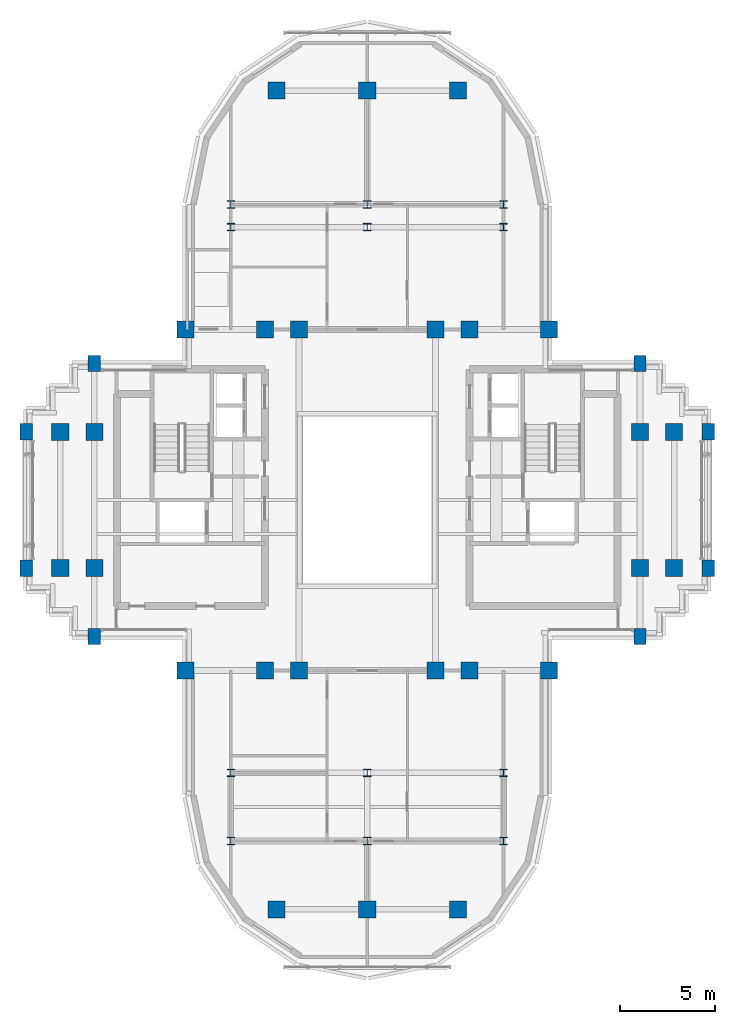
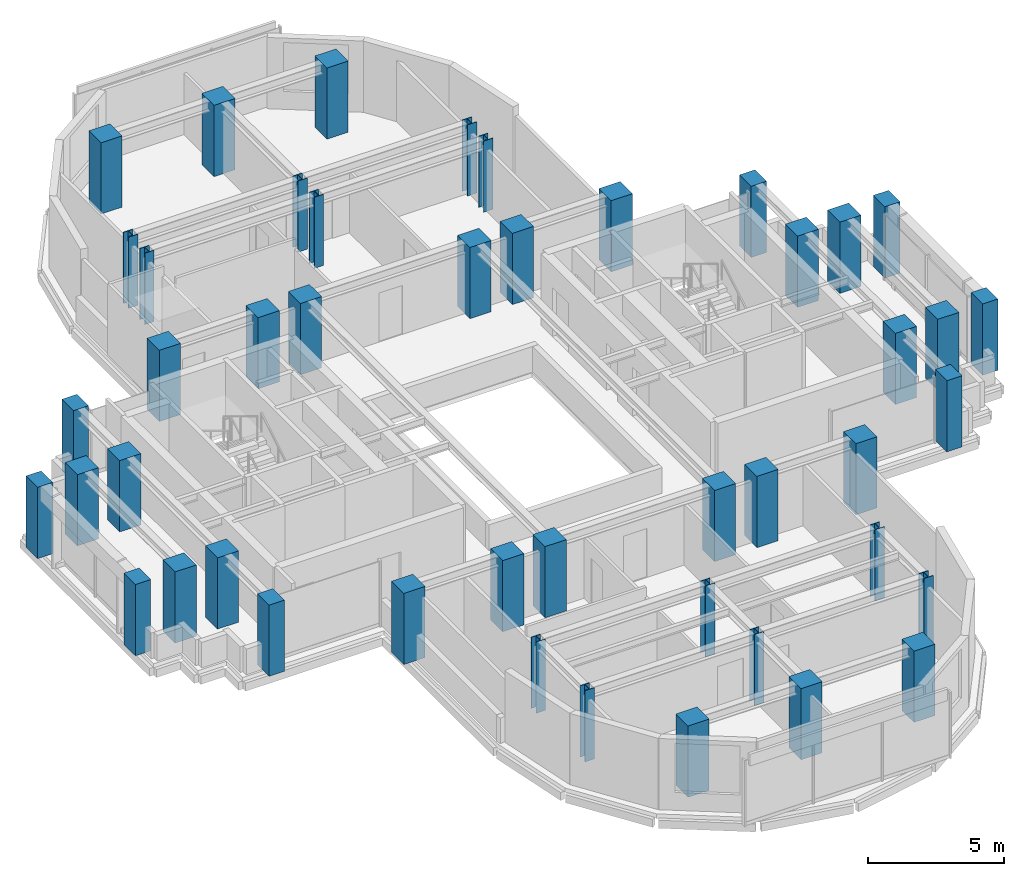
# One storey, part 1 of 11: 46 columns.
"""IFC4 building model written with IfcOpenShell, lengths in metres."""

from ifc_helpers import new_model, si_unit, direction, frame, origin, origin_2d, place, context, subcontext, project, spatial, rectangle, i_section, extrude, source, transform, mapped, material, material_profile, profile_set, type_object, element, save


model = new_model("IFC4")

# Units and contexts
model_context = context("Model", 3, precision=1e-05, world=origin(), true_north=direction((0.0, 1.0)))
body_context = subcontext(model_context, "Body", "Model", "MODEL_VIEW")
ifc_project = project(units=[si_unit("LENGTHUNIT", "METRE"), si_unit("AREAUNIT", "SQUARE_METRE"), si_unit("VOLUMEUNIT", "CUBIC_METRE"), si_unit("PLANEANGLEUNIT", "RADIAN"), si_unit("MASSUNIT", "GRAM", prefix="KILO")], contexts=[model_context])

# Site, building, storey
site_placement = place(None, origin())
site = spatial("IfcSite", under=ifc_project, at=site_placement, CompositionType="ELEMENT")
building_placement = place(site_placement, origin())
building = spatial("IfcBuilding", under=site, at=building_placement, Name="Keilestroom Media Tower", CompositionType="ELEMENT")
storey_placement = place(building_placement, frame((0.0, 0.0, 204.60009765625)))
storey = spatial("IfcBuildingStorey", under=building, at=storey_placement, Name="L56", CompositionType="ELEMENT", Elevation=204.60009765625)

# Columns
ifc_material_1 = material(Name="Precast concrete C40/50", Category="concrete")
ifc_material_profile_1 = material_profile(ifc_material_1, rectangle(XDim=0.64990234375, YDim=0.85009765625, at=origin_2d()), Name="PC 850x650")
ifc_profile_set_1 = profile_set([ifc_material_profile_1], Name="Precast concrete C40/50")
column_type_1 = type_object("IfcColumnType", Name="Structural-Column-PC-850x650", PredefinedType="COLUMN", material=ifc_profile_set_1)
shared_shape_1 = source(origin(), body_context, "Body", "SweptSolid", [
    extrude(rectangle(XDim=0.64990234375, YDim=0.85009765625, at=origin_2d()), origin(), (0.0, 0.0, 1.0), 3.199951171875),
])
for number, where, z_axis, x_axis, name in (
    (1, (-18.0, -3.60009765625, 0.0), (0.0, 0.0, 1.0), (1.0, 0.0, 0.0), "L56 Column PC-2 (-18.0,-3.6)"),
    (2, (-18.0, 3.60009765625, 0.0), (0.0, 0.0, 1.0), (1.0, 0.0, 0.0), "L56 Column PC-2 (-18.0,+3.6)"),
    (3, (-14.39990234375, -7.199951171875, 0.0), (0.0, 0.0, 1.0), (1.0, 0.0, 0.0), "L56 Column PC-2 (-14.4,-7.2)"),
    (4, (-14.39990234375, 7.199951171875, 0.0), (0.0, 0.0, 1.0), (1.0, 0.0, 0.0), "L56 Column PC-2 (-14.4,+7.2)"),
    (5, (14.39990234375, -7.199951171875, 0.0), (0.0, 0.0, 1.0), (1.0, 0.0, 0.0), "L56 Column PC-2 (+14.4,-7.2)"),
    (6, (14.39990234375, 7.199951171875, 0.0), (0.0, 0.0, 1.0), (1.0, 0.0, 0.0), "L56 Column PC-2 (+14.4,+7.2)"),
    (7, (18.0, -3.60009765625, 0.0), (0.0, 0.0, 1.0), (1.0, 0.0, 0.0), "L56 Column PC-2 (+18.0,-3.6)"),
    (8, (18.0, 3.60009765625, 0.0), (0.0, 0.0, 1.0), (1.0, 0.0, 0.0), "L56 Column PC-2 (+18.0,+3.6)"),
):
    element("IfcColumn", number, at=place(storey_placement, frame(where, z_axis=z_axis, x_axis=x_axis)), inside=storey, type_object=column_type_1, Name=name, PredefinedType="COLUMN", context=body_context, shape_type="MappedRepresentation", body=[
        mapped(shared_shape_1, transform((0.0, 0.0, 0.0), x_axis=(1.0, 0.0, 0.0), y_axis=(0.0, 1.0, 0.0), z_axis=(0.0, 0.0, 1.0), scale=1.0)),
    ])
ifc_material_2 = material(Name="Concrete C55/67", Category="concrete")
ifc_material_profile_2 = material_profile(ifc_material_2, rectangle(XDim=0.89990234375, YDim=0.89990234375, at=origin_2d()), Name="RC 900x900")
ifc_profile_set_2 = profile_set([ifc_material_profile_2], Name="Concrete C55/67")
column_type_2 = type_object("IfcColumnType", Name="Structural-Column-RC-900x900", PredefinedType="COLUMN", material=ifc_profile_set_2)
shared_shape_2 = source(origin(), body_context, "Body", "SweptSolid", [
    extrude(rectangle(XDim=0.89990234375, YDim=0.89990234375, at=origin_2d()), origin(), (0.0, 0.0, 1.0), 3.199951171875),
])
for number, where, z_axis, x_axis, name in (
    (9, (-16.199951171875, -3.60009765625, 0.0), (0.0, 0.0, 1.0), (1.0, 0.0, 0.0), "L56 Column MC-4 (-16.2,-3.6)"),
    (10, (-16.199951171875, 3.60009765625, 0.0), (0.0, 0.0, 1.0), (1.0, 0.0, 0.0), "L56 Column MC-4 (-16.2,+3.6)"),
    (11, (-14.39990234375, -3.60009765625, 0.0), (0.0, 0.0, 1.0), (1.0, 0.0, 0.0), "L56 Column MC-4 (-14.4,-3.6)"),
    (12, (-14.39990234375, 3.60009765625, 0.0), (0.0, 0.0, 1.0), (1.0, 0.0, 0.0), "L56 Column MC-4 (-14.4,+3.6)"),
    (13, (-9.60009765625, -9.0, 0.0), (0.0, 0.0, 1.0), (1.0, 0.0, 0.0), "L56 Column MC-4 (-9.6,-9.0)"),
    (14, (-9.60009765625, 9.0, 0.0), (0.0, 0.0, 1.0), (1.0, 0.0, 0.0), "L56 Column MC-4 (-9.6,+9.0)"),
    (15, (-5.39990234375, -9.0, 0.0), (0.0, 0.0, 1.0), (1.0, 0.0, 0.0), "L56 Column MC-4 (-5.4,-9.0)"),
    (16, (-5.39990234375, 9.0, 0.0), (0.0, 0.0, 1.0), (1.0, 0.0, 0.0), "L56 Column MC-4 (-5.4,+9.0)"),
    (17, (-4.800048828125, -21.60009765625, 0.0), (0.0, 0.0, 1.0), (1.0, 0.0, 0.0), "L56 Column MC-4 (-4.8,-21.6)"),
    (18, (-4.800048828125, 21.60009765625, 0.0), (0.0, 0.0, 1.0), (1.0, 0.0, 0.0), "L56 Column MC-4 (-4.8,+21.6)"),
    (19, (-3.60009765625, -9.0, 0.0), (0.0, 0.0, 1.0), (1.0, 0.0, 0.0), "L56 Column MC-4 (-3.6,-9.0)"),
    (20, (-3.60009765625, 9.0, 0.0), (0.0, 0.0, 1.0), (1.0, 0.0, 0.0), "L56 Column MC-4 (-3.6,+9.0)"),
    (21, (0.0, -21.60009765625, 0.0), (0.0, 0.0, 1.0), (1.0, 0.0, 0.0), "L56 Column MC-4 (+0.0,-21.6)"),
    (22, (0.0, 21.60009765625, 0.0), (0.0, 0.0, 1.0), (1.0, 0.0, 0.0), "L56 Column MC-4 (+0.0,+21.6)"),
    (23, (3.60009765625, -9.0, 0.0), (0.0, 0.0, 1.0), (1.0, 0.0, 0.0), "L56 Column MC-4 (+3.6,-9.0)"),
    (24, (3.60009765625, 9.0, 0.0), (0.0, 0.0, 1.0), (1.0, 0.0, 0.0), "L56 Column MC-4 (+3.6,+9.0)"),
    (25, (4.800048828125, -21.60009765625, 0.0), (0.0, 0.0, 1.0), (1.0, 0.0, 0.0), "L56 Column MC-4 (+4.8,-21.6)"),
    (26, (4.800048828125, 21.60009765625, 0.0), (0.0, 0.0, 1.0), (1.0, 0.0, 0.0), "L56 Column MC-4 (+4.8,+21.6)"),
    (27, (5.39990234375, -9.0, 0.0), (0.0, 0.0, 1.0), (1.0, 0.0, 0.0), "L56 Column MC-4 (+5.4,-9.0)"),
    (28, (5.39990234375, 9.0, 0.0), (0.0, 0.0, 1.0), (1.0, 0.0, 0.0), "L56 Column MC-4 (+5.4,+9.0)"),
    (29, (9.60009765625, -9.0, 0.0), (0.0, 0.0, 1.0), (1.0, 0.0, 0.0), "L56 Column MC-4 (+9.6,-9.0)"),
    (30, (9.60009765625, 9.0, 0.0), (0.0, 0.0, 1.0), (1.0, 0.0, 0.0), "L56 Column MC-4 (+9.6,+9.0)"),
    (31, (14.39990234375, -3.60009765625, 0.0), (0.0, 0.0, 1.0), (1.0, 0.0, 0.0), "L56 Column MC-4 (+14.4,-3.6)"),
    (32, (14.39990234375, 3.60009765625, 0.0), (0.0, 0.0, 1.0), (1.0, 0.0, 0.0), "L56 Column MC-4 (+14.4,+3.6)"),
    (33, (16.199951171875, -3.60009765625, 0.0), (0.0, 0.0, 1.0), (1.0, 0.0, 0.0), "L56 Column MC-4 (+16.2,-3.6)"),
    (34, (16.199951171875, 3.60009765625, 0.0), (0.0, 0.0, 1.0), (1.0, 0.0, 0.0), "L56 Column MC-4 (+16.2,+3.6)"),
):
    element("IfcColumn", number, at=place(storey_placement, frame(where, z_axis=z_axis, x_axis=x_axis)), inside=storey, type_object=column_type_2, Name=name, PredefinedType="COLUMN", context=body_context, shape_type="MappedRepresentation", body=[
        mapped(shared_shape_2, transform((0.0, 0.0, 0.0), x_axis=(1.0, 0.0, 0.0), y_axis=(0.0, 1.0, 0.0), z_axis=(0.0, 0.0, 1.0), scale=1.0)),
    ])
ifc_material_3 = material(Name="Steel S355", Category="steel")
ifc_material_profile_3 = material_profile(ifc_material_3, i_section(OverallWidth=0.39794921875, OverallDepth=0.386962890625, WebThickness=0.017578125, FlangeThickness=0.028076171875, at=origin_2d()), Name="HD 400x262")
ifc_profile_set_3 = profile_set([ifc_material_profile_3], Name="Steel S355")
column_type_3 = type_object("IfcColumnType", Name="Structural-Column-HD-400x262", PredefinedType="COLUMN", material=ifc_profile_set_3)
shared_shape_3 = source(origin(), body_context, "Body", "SweptSolid", [
    extrude(i_section(OverallWidth=0.39794921875, OverallDepth=0.386962890625, WebThickness=0.017578125, FlangeThickness=0.028076171875, at=origin_2d()), origin(), (0.0, 0.0, 1.0), 3.199951171875),
])
for number, where, z_axis, x_axis, name in (
    (35, (-7.199951171875, -18.0, 0.0), (0.0, 0.0, 1.0), (1.0, 0.0, 0.0), "L56 Column SC-4 (-7.2,-18.0)"),
    (36, (-7.199951171875, -14.39990234375, 0.0), (0.0, 0.0, 1.0), (1.0, 0.0, 0.0), "L56 Column SC-4 (-7.2,-14.4)"),
    (37, (-7.199951171875, 14.39990234375, 0.0), (0.0, 0.0, 1.0), (1.0, 0.0, 0.0), "L56 Column SC-4 (-7.2,+14.4)"),
    (38, (-7.199951171875, 15.60009765625, 0.0), (0.0, 0.0, 1.0), (1.0, 0.0, 0.0), "L56 Column SC-4 (-7.2,+15.6)"),
    (39, (0.0, -18.0, 0.0), (0.0, 0.0, 1.0), (1.0, 0.0, 0.0), "L56 Column SC-4 (+0.0,-18.0)"),
    (40, (0.0, -14.39990234375, 0.0), (0.0, 0.0, 1.0), (1.0, 0.0, 0.0), "L56 Column SC-4 (+0.0,-14.4)"),
    (41, (0.0, 14.39990234375, 0.0), (0.0, 0.0, 1.0), (1.0, 0.0, 0.0), "L56 Column SC-4 (+0.0,+14.4)"),
    (42, (0.0, 15.60009765625, 0.0), (0.0, 0.0, 1.0), (1.0, 0.0, 0.0), "L56 Column SC-4 (+0.0,+15.6)"),
    (43, (7.199951171875, -18.0, 0.0), (0.0, 0.0, 1.0), (1.0, 0.0, 0.0), "L56 Column SC-4 (+7.2,-18.0)"),
    (44, (7.199951171875, -14.39990234375, 0.0), (0.0, 0.0, 1.0), (1.0, 0.0, 0.0), "L56 Column SC-4 (+7.2,-14.4)"),
    (45, (7.199951171875, 14.39990234375, 0.0), (0.0, 0.0, 1.0), (1.0, 0.0, 0.0), "L56 Column SC-4 (+7.2,+14.4)"),
    (46, (7.199951171875, 15.60009765625, 0.0), (0.0, 0.0, 1.0), (1.0, 0.0, 0.0), "L56 Column SC-4 (+7.2,+15.6)"),
):
    element("IfcColumn", number, at=place(storey_placement, frame(where, z_axis=z_axis, x_axis=x_axis)), inside=storey, type_object=column_type_3, Name=name, PredefinedType="COLUMN", context=body_context, shape_type="MappedRepresentation", body=[
        mapped(shared_shape_3, transform((0.0, 0.0, 0.0), x_axis=(1.0, 0.0, 0.0), y_axis=(0.0, 1.0, 0.0), z_axis=(0.0, 0.0, 1.0), scale=1.0)),
    ])

save(model, "model.ifc")
